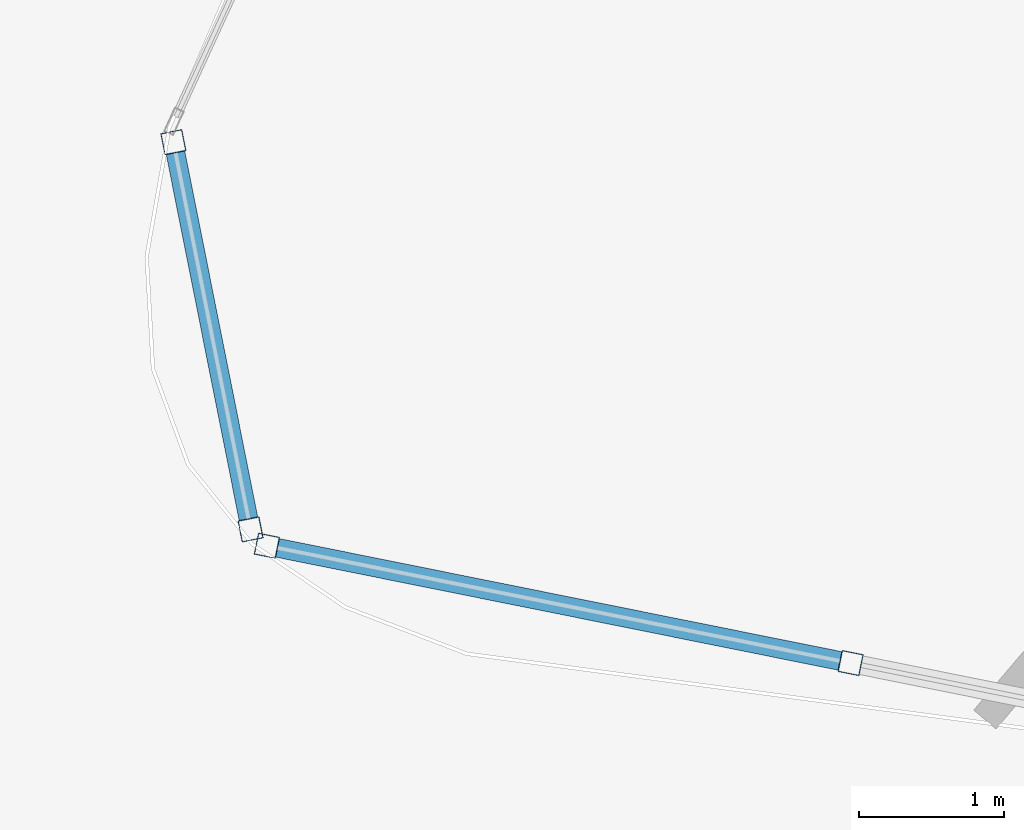
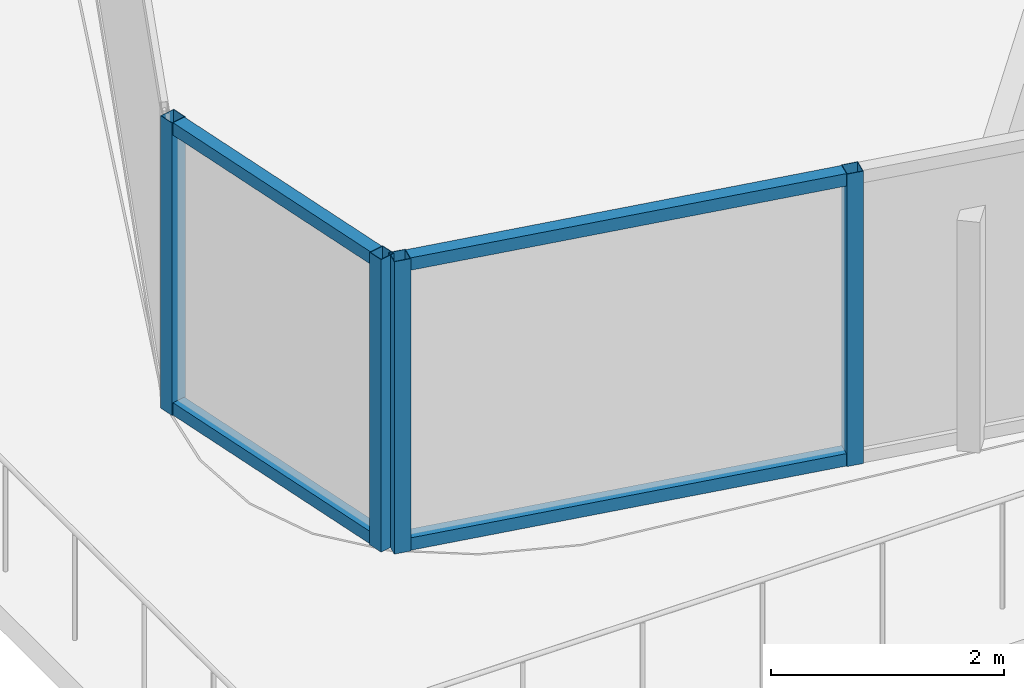
# One storey, part 2 of 36: 8 members, 2 elements without a shape of their own.
"""IFC4 building model written with IfcOpenShell, lengths in metres."""

import ifcopenshell
import ifcopenshell.guid

model = None  # the IFC model being written
_history = None  # IfcOwnerHistory: only IFC2X3 demands one
_inside = {}  # id of a spatial element -> (the spatial element, [elements in it])
_under = {}  # id of a project, library or spatial element -> (it, [spatial elements below it])
_declared = {}  # id of a project -> (the project, [libraries it declares])
_typed = {}  # id of a type object -> (the type object, [elements of that type])
_made_of = {}  # id of a material, layer set ... -> (it, [elements and type objects made of it])


def new_model(schema):
    """Start an empty IFC model of exactly this schema.

    Asked for "IFC4X3", IfcOpenShell would pick the latest addendum, in which some entities
    have other attributes; the version numbers below select the first issue.
    IFC2X3 requires an IfcOwnerHistory on every rooted entity: one is made here for all.
    """
    global model, _history
    if schema == "IFC4X3":
        model = ifcopenshell.file(schema_version=(4, 3, 0, 0))
    else:
        model = ifcopenshell.file(schema=schema)
    _inside.clear()
    _under.clear()
    _declared.clear()
    _typed.clear()
    _made_of.clear()
    _history = None
    if model.schema == "IFC2X3":
        org = make("IfcOrganization", Name="unknown")
        user = make(
            "IfcPersonAndOrganization",
            ThePerson=make("IfcPerson", FamilyName="unknown"),
            TheOrganization=org,
        )
        app = make(
            "IfcApplication",
            ApplicationDeveloper=org,
            Version="unknown",
            ApplicationFullName="unknown",
            ApplicationIdentifier="unknown",
        )
        _history = make(
            "IfcOwnerHistory",
            OwningUser=user,
            OwningApplication=app,
            ChangeAction="ADDED",
            CreationDate=0,
        )
    return model


def make(cls, **values):
    """One entity of the class cls with the attributes given. An attribute that is None is left unset."""
    return model.create_entity(
        cls, **{name: value for name, value in values.items() if value is not None}
    )


def rooted(cls, **values):
    """An entity with a GlobalId (a new one), such as an element, a storey or a relation."""
    return make(cls, GlobalId=ifcopenshell.guid.new(), OwnerHistory=_history, **values)


def si_unit(unit_type, name, prefix=None):
    """IfcSIUnit, for example si_unit("LENGTHUNIT", "METRE", prefix="MILLI")."""
    return make("IfcSIUnit", UnitType=unit_type, Prefix=prefix, Name=name)


def assignment(units):
    """IfcUnitAssignment: the units of a project."""
    return None if units is None else make("IfcUnitAssignment", Units=units)


def point(xyz):
    """IfcCartesianPoint."""
    return None if xyz is None else make("IfcCartesianPoint", Coordinates=xyz)


def direction(xyz):
    """IfcDirection."""
    return None if xyz is None else make("IfcDirection", DirectionRatios=xyz)


def frame(location, z_axis=None, x_axis=None):
    """IfcAxis2Placement3D, a coordinate frame: its origin and axes. An axis left out is left unset."""
    return make(
        "IfcAxis2Placement3D",
        Location=point(location),
        Axis=direction(z_axis),
        RefDirection=direction(x_axis),
    )


def frame_2d(location, x_axis=None):
    """IfcAxis2Placement2D, a coordinate frame in the plane: its origin and x axis."""
    return make(
        "IfcAxis2Placement2D", Location=point(location), RefDirection=direction(x_axis)
    )


def origin():
    """The frame at (0, 0, 0) with its axes left unset."""
    return frame((0.0, 0.0, 0.0))


def origin_2d():
    """The frame at (0, 0) in the plane with its x axis left unset."""
    return frame_2d((0.0, 0.0))


def place(relative_to, where):
    """IfcLocalPlacement: puts the frame where relative to a parent placement (None: the world)."""
    return make(
        "IfcLocalPlacement", PlacementRelTo=relative_to, RelativePlacement=where
    )


def context(
    kind, dimensions, precision=None, world=None, true_north=None, identifier=None
):
    """IfcGeometricRepresentationContext, for example the 3D "Model" context."""
    return make(
        "IfcGeometricRepresentationContext",
        ContextIdentifier=identifier,
        ContextType=kind,
        CoordinateSpaceDimension=dimensions,
        Precision=precision,
        WorldCoordinateSystem=world,
        TrueNorth=true_north,
    )


def subcontext(parent, identifier, kind, view, scale=None):
    """IfcGeometricRepresentationSubContext, for example "Body" below "Model"."""
    return make(
        "IfcGeometricRepresentationSubContext",
        ContextIdentifier=identifier,
        ContextType=kind,
        ParentContext=parent,
        TargetScale=scale,
        TargetView=view,
    )


def project(units=None, contexts=None):
    """IfcProject with its units and contexts."""
    return rooted(
        "IfcProject",
        Name="project",
        RepresentationContexts=contexts,
        UnitsInContext=assignment(units),
    )


def spatial(cls, under=None, at=None, **own):
    """A site, building, storey or space (cls), placed at a placement, below another one or the project."""
    s = rooted(cls, ObjectPlacement=at, **own)
    if under is not None:
        _under.setdefault(under.id(), (under, []))[1].append(s)
    return s


def profile(cls, at=None, kind="AREA", **sizes):
    """A parametric profile (cls). Its sizes go by their IFC names, for example OverallWidth=200.0."""
    return make(cls, ProfileType=kind, Position=at, **sizes)


def hollow_rectangle(**sizes):
    """IfcRectangleHollowProfileDef."""
    return profile("IfcRectangleHollowProfileDef", **sizes)


def extrude(swept, where, along, depth):
    """IfcExtrudedAreaSolid: the profile swept, set in the frame where, extruded along a direction by depth."""
    return make(
        "IfcExtrudedAreaSolid",
        SweptArea=swept,
        Position=where,
        ExtrudedDirection=direction(along),
        Depth=depth,
    )


def shape(context_of_items, identifier, shape_type, items):
    """IfcShapeRepresentation: the items that make up one representation, for example the "Body"."""
    return make(
        "IfcShapeRepresentation",
        ContextOfItems=context_of_items,
        RepresentationIdentifier=identifier,
        RepresentationType=shape_type,
        Items=items,
    )


def material(Name=None, Category=None):
    """IfcMaterial."""
    return make("IfcMaterial", Name=Name, Category=Category)


def layer(
    of_material, thickness, ventilated=None, Name=None, Category=None, Priority=None
):
    """IfcMaterialLayer: one layer of a wall or slab, of a material (None: an air gap)."""
    return make(
        "IfcMaterialLayer",
        Material=of_material,
        LayerThickness=thickness,
        IsVentilated=ventilated,
        Name=Name,
        Category=Category,
        Priority=Priority,
    )


def layer_set(layers, Name=None):
    """IfcMaterialLayerSet."""
    return make("IfcMaterialLayerSet", MaterialLayers=layers, LayerSetName=Name)


def material_profile(
    of_material, cross_section, Name=None, Category=None, Priority=None
):
    """IfcMaterialProfile: a cross section and its material."""
    return make(
        "IfcMaterialProfile",
        Name=Name,
        Material=of_material,
        Profile=cross_section,
        Priority=Priority,
        Category=Category,
    )


def profile_set(profiles, Name=None, composite=None):
    """IfcMaterialProfileSet."""
    return make(
        "IfcMaterialProfileSet",
        Name=Name,
        MaterialProfiles=profiles,
        CompositeProfile=composite,
    )


def made_of(thing, what):
    """Note that an element or type object is made of a material, layer set ...; save() writes the relation."""
    if what is not None:
        _made_of.setdefault(what.id(), (what, []))[1].append(thing)
    return thing


def type_object(cls, material=None, **own):
    """A type object (cls), such as IfcWallType, which elements share."""
    return made_of(rooted(cls, **own), material)


def element(
    cls,
    number,
    at=None,
    inside=None,
    cuts=None,
    type_object=None,
    material=None,
    context=None,
    identifier="Body",
    shape_type=None,
    held_by="IfcProductDefinitionShape",
    body=None,
    shapes=None,
    **own,
):
    """One element of the class cls, such as IfcWall. Its Tag is "e" and its number.

    at: its placement. inside: the storey or other place that contains it. cuts: it is an
    opening in that element (IfcRelVoidsElement). A single representation is given by context,
    identifier, shape_type and body (its items); several are given by shapes. held_by: the class
    of the entity that holds the representations. save() writes the other relations.
    """
    e = rooted(cls, Tag="e%d" % number, ObjectPlacement=at, **own)
    if body is not None:
        shapes = [shape(context, identifier, shape_type, body)]
    if shapes is not None:
        e.Representation = make(held_by, Representations=shapes)
    if inside is not None:
        _inside.setdefault(inside.id(), (inside, []))[1].append(e)
    if cuts is not None:
        rooted(
            "IfcRelVoidsElement", RelatingBuildingElement=cuts, RelatedOpeningElement=e
        )
    if type_object is not None:
        _typed.setdefault(type_object.id(), (type_object, []))[1].append(e)
    return made_of(e, material)


def aggregate(whole, parts):
    """IfcRelAggregates: a whole, such as a stair, and the parts it consists of."""
    return rooted("IfcRelAggregates", RelatingObject=whole, RelatedObjects=parts)


def save(model, path):
    """Write the relations noted so far, then the file.

    IfcRelAggregates (storeys below a building ...), IfcRelContainedInSpatialStructure (elements
    in a storey), IfcRelDefinesByType, IfcRelAssociatesMaterial and IfcRelDeclares: one each for
    every whole, place, type object, material and project.
    """
    for whole, parts in _under.values():
        aggregate(whole, parts)
    for where, things in _inside.values():
        rooted(
            "IfcRelContainedInSpatialStructure",
            RelatedElements=things,
            RelatingStructure=where,
        )
    for kind, things in _typed.values():
        rooted("IfcRelDefinesByType", RelatedObjects=things, RelatingType=kind)
    for what, things in _made_of.values():
        rooted("IfcRelAssociatesMaterial", RelatedObjects=things, RelatingMaterial=what)
    for by, libraries in _declared.values():
        rooted("IfcRelDeclares", RelatingContext=by, RelatedDefinitions=libraries)
    model.write(path)


model = new_model("IFC4")

# Units and contexts
model_context = context("Model", 3, precision=1e-05, world=origin(), true_north=direction((0.0, 1.0)))
body_context = subcontext(model_context, "Body", "Model", "MODEL_VIEW")
ifc_project = project(units=[si_unit("LENGTHUNIT", "METRE"), si_unit("AREAUNIT", "SQUARE_METRE"), si_unit("VOLUMEUNIT", "CUBIC_METRE"), si_unit("PLANEANGLEUNIT", "RADIAN"), si_unit("MASSUNIT", "GRAM", prefix="KILO")], contexts=[model_context])

# Site, building, storey
site_placement = place(None, origin())
site = spatial("IfcSite", under=ifc_project, at=site_placement, CompositionType="ELEMENT")
building_placement = place(site_placement, origin())
building = spatial("IfcBuilding", under=site, at=building_placement, Name="Orvanel Arch Residences", CompositionType="ELEMENT")
storey_placement = place(building_placement, frame((0.0, 0.0, 23.60009765625)))
storey = spatial("IfcBuildingStorey", under=building, at=storey_placement, Name="L05", CompositionType="ELEMENT", Elevation=23.60009765625)

# Curtain wall, members
ifc_material = material(Name="Bronze-anodised aluminium AA6063-T6", Category="aluminium")
ifc_layer = layer(ifc_material, 0.18994140625)
ifc_layer_set = layer_set([ifc_layer], Name="Bronze-anodised aluminium AA6063-T6")
curtain_wall_type = type_object("IfcCurtainWallType", Name="CW5-CRN-SYS", PredefinedType="NOTDEFINED", material=ifc_layer_set)
curtain_wall_1_placement = place(storey_placement, origin())
curtain_wall_1 = element("IfcCurtainWall", 1, at=curtain_wall_1_placement, inside=storey, type_object=curtain_wall_type, Name="L05 CW5-CRN-SYS Unitised Curtain Wall", PredefinedType="NOTDEFINED")
ifc_material_profile_1 = material_profile(ifc_material, hollow_rectangle(XDim=0.14990234375, YDim=0.14990234375, WallThickness=0.0048828125, at=origin_2d()), Name="ALU150x150x5")
ifc_profile_set_1 = profile_set([ifc_material_profile_1], Name="Bronze-anodised aluminium AA6063-T6")
member_type_1 = type_object("IfcMemberType", Name="MUL-150x150", PredefinedType="MULLION", material=ifc_profile_set_1)
member_1_placement = place(storey_placement, frame((4.002685546875, 6.883544921875, 0.0), z_axis=(0.0, 0.0, 1.0), x_axis=(0.980714680144, 0.195444918456, 0.0)))
member_1 = element("IfcMember", 2, at=member_1_placement, type_object=member_type_1, Name="CW-S5 mullion 1", PredefinedType="MULLION", context=body_context, shape_type="SweptSolid", body=[
    extrude(hollow_rectangle(XDim=0.14990234375, YDim=0.14990234375, WallThickness=0.0048828125, at=origin_2d()), origin(), (0.0, 0.0, 1.0), 3.059814453125),
])
member_2_placement = place(storey_placement, frame((4.533447265625, 4.220458984375, 0.0), z_axis=(0.0, 0.0, 1.0), x_axis=(0.980714680144, 0.195444918456, 0.0)))
member_2 = element("IfcMember", 3, at=member_2_placement, type_object=member_type_1, Name="CW-S5 mullion 2", PredefinedType="MULLION", context=body_context, shape_type="SweptSolid", body=[
    extrude(hollow_rectangle(XDim=0.14990234375, YDim=0.14990234375, WallThickness=0.0048828125, at=origin_2d()), origin(), (0.0, 0.0, 1.0), 3.059814453125),
])

curtain_wall_2_placement = place(storey_placement, origin())
curtain_wall_2 = element("IfcCurtainWall", 4, at=curtain_wall_2_placement, inside=storey, type_object=curtain_wall_type, Name="L05 CW5-CRN-SYS Unitised Curtain Wall", PredefinedType="NOTDEFINED")
member_3_placement = place(storey_placement, frame((4.6455078125, 4.108154296875, 0.0), z_axis=(0.0, 0.0, 1.0), x_axis=(0.197038556687, 0.980395740086, 0.0)))
member_3 = element("IfcMember", 5, at=member_3_placement, type_object=member_type_1, Name="CW-S5 mullion 1", PredefinedType="MULLION", context=body_context, shape_type="SweptSolid", body=[
    extrude(hollow_rectangle(XDim=0.14990234375, YDim=0.14990234375, WallThickness=0.0048828125, at=origin_2d()), origin(), (0.0, 0.0, 1.0), 3.059814453125),
])
member_4_placement = place(storey_placement, frame((8.659423828125, 3.301513671875, 0.0), z_axis=(0.0, 0.0, 1.0), x_axis=(0.197038556687, 0.980395740086, 0.0)))
member_4 = element("IfcMember", 6, at=member_4_placement, type_object=member_type_1, Name="CW-S5 mullion 2", PredefinedType="MULLION", context=body_context, shape_type="SweptSolid", body=[
    extrude(hollow_rectangle(XDim=0.14990234375, YDim=0.14990234375, WallThickness=0.0048828125, at=origin_2d()), origin(), (0.0, 0.0, 1.0), 3.059814453125),
])

# Member
ifc_material_profile_2 = material_profile(ifc_material, hollow_rectangle(XDim=0.1298828125, YDim=0.1298828125, WallThickness=0.00439453125, at=origin_2d()), Name="ALU130x130x4.5")
ifc_profile_set_2 = profile_set([ifc_material_profile_2], Name="Bronze-anodised aluminium AA6063-T6")
member_type_2 = type_object("IfcMemberType", Name="TRN-130x130", PredefinedType="USERDEFINED", material=ifc_profile_set_2)
member_5_placement = place(storey_placement, frame((4.017333984375, 6.809814453125, 0.06494140625), z_axis=(0.195493783771, -0.980704940595, 0.0), x_axis=(0.980704940595, 0.195493783771, 0.0)))
member_5 = element("IfcMember", 7, at=member_5_placement, type_object=member_type_2, Name="CW-S5 transom 1.1", ObjectType="TRANSOM", PredefinedType="USERDEFINED", context=body_context, shape_type="SweptSolid", body=[
    extrude(hollow_rectangle(XDim=0.1298828125, YDim=0.1298828125, WallThickness=0.00439453125, at=origin_2d()), origin(), (0.0, 0.0, 1.0), 2.565185546875),
])

member_6_placement = place(storey_placement, frame((4.017333984375, 6.809814453125, 2.994873046875), z_axis=(0.195493783771, -0.980704940595, 0.0), x_axis=(0.980704940595, 0.195493783771, 0.0)))
member_6 = element("IfcMember", 8, at=member_6_placement, type_object=member_type_2, Name="CW-S5 transom 1.2", ObjectType="TRANSOM", PredefinedType="USERDEFINED", context=body_context, shape_type="SweptSolid", body=[
    extrude(hollow_rectangle(XDim=0.1298828125, YDim=0.1298828125, WallThickness=0.00439453125, at=origin_2d()), origin(), (0.0, 0.0, 1.0), 2.565185546875),
])

aggregate(curtain_wall_1, [member_1, member_2, member_5, member_6])

member_7_placement = place(storey_placement, frame((4.718994140625, 4.093505859375, 0.06494140625), z_axis=(0.980387368562, -0.197080205916, 0.0), x_axis=(0.197080205916, 0.980387368562, 0.0)))
member_7 = element("IfcMember", 9, at=member_7_placement, type_object=member_type_2, Name="CW-S5 transom 1.1", ObjectType="TRANSOM", PredefinedType="USERDEFINED", context=body_context, shape_type="SweptSolid", body=[
    extrude(hollow_rectangle(XDim=0.1298828125, YDim=0.1298828125, WallThickness=0.00439453125, at=origin_2d()), origin(), (0.0, 0.0, 1.0), 3.9443359375),
])

member_8_placement = place(storey_placement, frame((4.718994140625, 4.093505859375, 2.994873046875), z_axis=(0.980387368562, -0.197080205916, 0.0), x_axis=(0.197080205916, 0.980387368562, 0.0)))
member_8 = element("IfcMember", 10, at=member_8_placement, type_object=member_type_2, Name="CW-S5 transom 1.2", ObjectType="TRANSOM", PredefinedType="USERDEFINED", context=body_context, shape_type="SweptSolid", body=[
    extrude(hollow_rectangle(XDim=0.1298828125, YDim=0.1298828125, WallThickness=0.00439453125, at=origin_2d()), origin(), (0.0, 0.0, 1.0), 3.9443359375),
])

aggregate(curtain_wall_2, [member_3, member_4, member_7, member_8])

save(model, "model.ifc")
